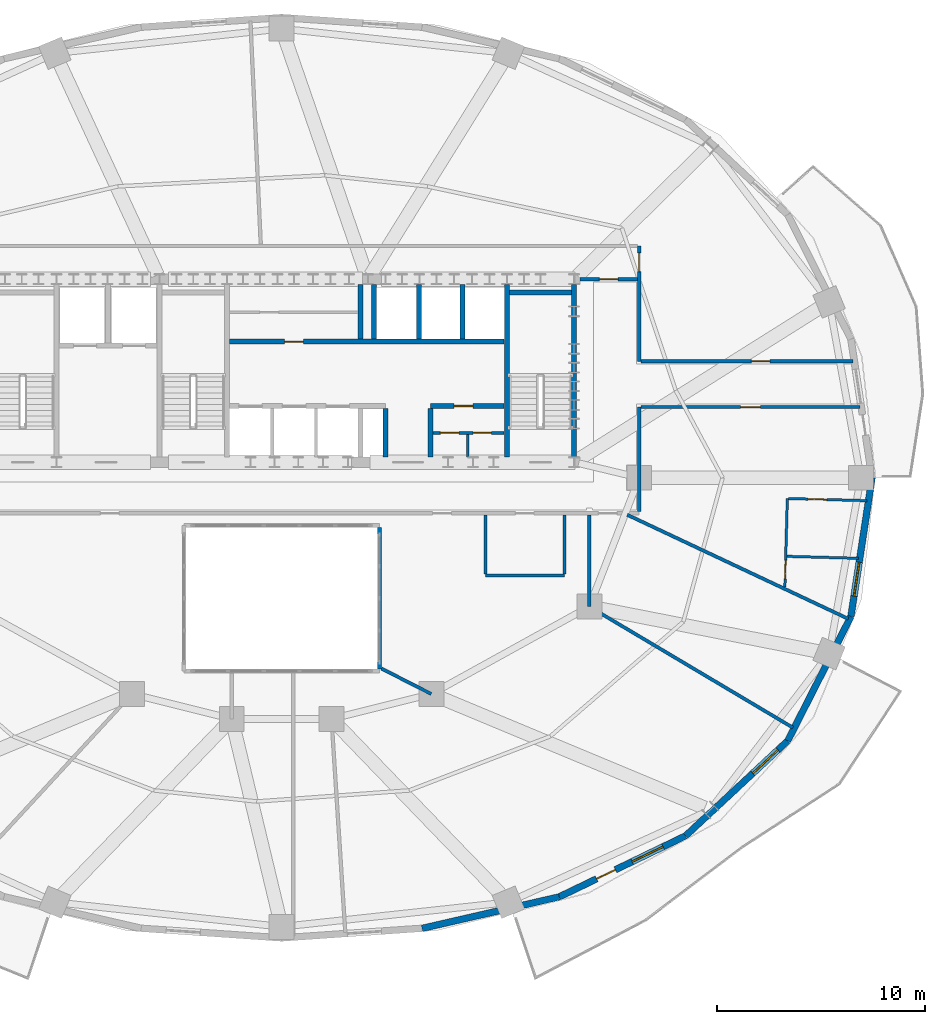
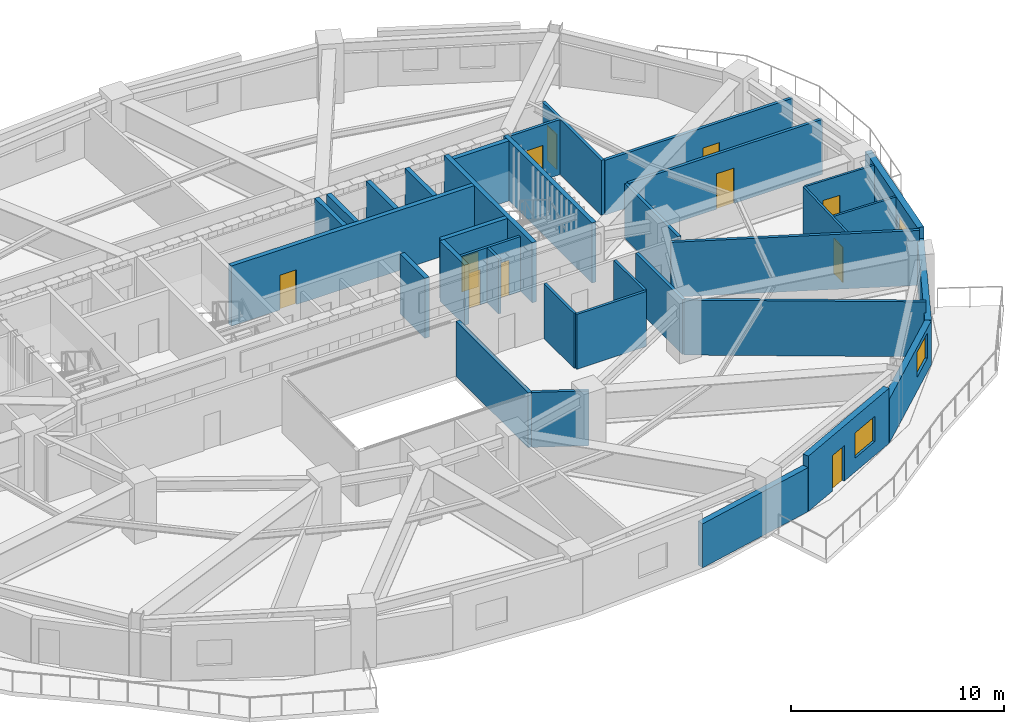
# One storey, part 8 of 13: 34 walls, 11 doors, 3 windows, 14 openings.
"""IFC4 building model written with IfcOpenShell, lengths in metres."""

from ifc_helpers import new_model, si_unit, direction, frame, frame_2d, origin, place, context, subcontext, project, spatial, rectangle, extrude, material, layer, layer_set, type_object, element, fill, save


model = new_model("IFC4")

# Units and contexts
model_context = context("Model", 3, precision=1e-05, world=origin(), true_north=direction((0.0, 1.0)))
body_context = subcontext(model_context, "Body", "Model", "MODEL_VIEW")
ifc_project = project(units=[si_unit("LENGTHUNIT", "METRE"), si_unit("AREAUNIT", "SQUARE_METRE"), si_unit("VOLUMEUNIT", "CUBIC_METRE"), si_unit("PLANEANGLEUNIT", "RADIAN"), si_unit("MASSUNIT", "GRAM", prefix="KILO")], contexts=[model_context])

# Site, building, storey
site_placement = place(None, origin())
site = spatial("IfcSite", under=ifc_project, at=site_placement, CompositionType="ELEMENT")
building_placement = place(site_placement, origin())
building = spatial("IfcBuilding", under=site, at=building_placement, Name="Haldorwick Loom Tower", CompositionType="ELEMENT")
storey_placement = place(building_placement, frame((0.0, 0.0, 127.699951171875)))
storey = spatial("IfcBuildingStorey", under=building, at=storey_placement, Name="L34", CompositionType="ELEMENT", Elevation=127.699951171875)

# Wall
ifc_material_1 = material(Name="Pressed Clay Face Brick and Insulated Masonry Backup Assembly", Category="masonry")
ifc_layer_1 = layer(ifc_material_1, 0.320068359375, Name="Pressed Clay Face Brick and Insulated Masonry Backup Assembly", Category="masonry")
ifc_layer_set_1 = layer_set([ifc_layer_1], Name="Pressed Clay Face Brick and Insulated Masonry Backup Assembly")
wall_type_1 = type_object("IfcWallType", Name="ARC-WL-EXT320", PredefinedType="STANDARD", material=ifc_layer_set_1)
wall_1_placement = place(storey_placement, frame((42.757080078125, 4.325439453125, 0.0), z_axis=(0.0, 0.0, 1.0), x_axis=(0.974584177714, 0.224021607329, 0.0)))
element("IfcWall", 1, at=wall_1_placement, inside=storey, type_object=wall_type_1, Name="L34 Brick Pier and Spandrel Wall 20", PredefinedType="STANDARD", context=body_context, shape_type="SweptSolid", body=[
    extrude(rectangle(XDim=6.767822265625, YDim=0.320068359375, at=frame_2d((3.3837890625, 0.0))), origin(), (0.0, 0.0, 1.0), 2.529052734375),
])

# Wall, openings, door, window
wall_2_placement = place(storey_placement, frame((49.352783203125, 5.841552734375, 0.0), z_axis=(0.0, 0.0, 1.0), x_axis=(0.900510094661, 0.434835106004, 0.0)))
wall_2 = element("IfcWall", 2, at=wall_2_placement, inside=storey, type_object=wall_type_1, Name="L34 Brick Pier and Spandrel Wall 21", PredefinedType="STANDARD", context=body_context, shape_type="SweptSolid", body=[
    extrude(rectangle(XDim=6.744873046875, YDim=0.320068359375, at=frame_2d((3.37255859375, 0.0))), origin(), (0.0, 0.0, 1.0), 3.170166015625),
])
opening_1_placement = place(wall_2_placement, frame((1.994873046875, 0.0, 0.0)))
opening_1 = element("IfcOpeningElement", 3, at=opening_1_placement, cuts=wall_2, Name="Opening D-BL10", PredefinedType="OPENING", context=body_context, shape_type="SweptSolid", body=[
    extrude(rectangle(XDim=1.0, YDim=2.0400390625, at=frame_2d((0.5, 1.02001953125))), frame((0.0, 0.169921875, 0.0), z_axis=(0.0, -1.0, 0.0), x_axis=(1.0, 0.0, 0.0)), (0.0, 0.0, 1.0), 0.340087890625),
])
opening_2_placement = place(wall_2_placement, frame((3.896484375, 0.0, 0.800048828125)))
opening_2 = element("IfcOpeningElement", 4, at=opening_2_placement, cuts=wall_2, Name="Opening W-01B", PredefinedType="OPENING", context=body_context, shape_type="SweptSolid", body=[
    extrude(rectangle(XDim=1.64990234375, YDim=1.449951171875, at=frame_2d((0.824951171875, 0.72509765625))), frame((0.0, 0.169921875, 0.0), z_axis=(0.0, -1.0, 0.0), x_axis=(1.0, 0.0, 0.0)), (0.0, 0.0, 1.0), 0.340087890625),
])
ifc_material_2 = material(Name="Thermally Broken Anodized Aluminium Curtain Wall Framing", Category="aluminium")
door_type_1 = type_object("IfcDoorType", Name="ARC-DR-BAL100", OperationType="NOTDEFINED", PredefinedType="DOOR", material=ifc_material_2)
door_1_placement = place(opening_1_placement, origin())
door_1 = element("IfcDoor", 5, at=door_1_placement, inside=storey, type_object=door_type_1, Name="L34 Outdoor Terrace Door SLB-L34-BAL_SE", OperationType="SINGLE_SWING_RIGHT", OverallHeight=2.0400390625, OverallWidth=1.0, PredefinedType="DOOR", context=body_context, shape_type="SweptSolid", body=[
    extrude(rectangle(XDim=1.0, YDim=2.0400390625, at=frame_2d((0.5, 1.02001953125))), frame((0.0, 0.02490234375, 0.0), z_axis=(0.0, -1.0, 0.0), x_axis=(1.0, 0.0, 0.0)), (0.0, 0.0, 1.0), 0.050048828125),
])
fill(opening_1, door_1)
ifc_material_3 = material(Name="Triple-Glazed Low-E Argon Insulated Glazing Unit", Category="glass")
window_type = type_object("IfcWindowType", Name="ARC-WIN-W165", PartitioningType="SINGLE_PANEL", PredefinedType="WINDOW", material=ifc_material_3)
window_1_placement = place(opening_2_placement, origin())
window_1 = element("IfcWindow", 6, at=window_1_placement, inside=storey, type_object=window_type, Name="L34 Deep-Set Zone 7A Window 21", OverallHeight=1.449951171875, OverallWidth=1.64990234375, PartitioningType="SINGLE_PANEL", PredefinedType="WINDOW", context=body_context, shape_type="SweptSolid", body=[
    extrude(rectangle(XDim=1.64990234375, YDim=1.449951171875, at=frame_2d((0.824951171875, 0.72509765625))), frame((0.0, 0.030029296875, 0.0), z_axis=(0.0, -1.0, 0.0), x_axis=(1.0, 0.0, 0.0)), (0.0, 0.0, 1.0), 0.06005859375),
])
fill(opening_2, window_1)

# Wall, opening, window
wall_3_placement = place(storey_placement, frame((55.426513671875, 8.7744140625, 0.0), z_axis=(0.0, 0.0, 1.0), x_axis=(0.732137360086, 0.681157020052, 0.0)))
wall_3 = element("IfcWall", 7, at=wall_3_placement, inside=storey, type_object=wall_type_1, Name="L34 Brick Pier and Spandrel Wall 22", PredefinedType="STANDARD", context=body_context, shape_type="SweptSolid", body=[
    extrude(rectangle(XDim=6.709228515625, YDim=0.320068359375, at=frame_2d((3.3544921875, 0.0))), origin(), (0.0, 0.0, 1.0), 2.529052734375),
])
opening_3_placement = place(wall_3_placement, frame((4.41943359375, 0.0, 0.800048828125)))
opening_3 = element("IfcOpeningElement", 8, at=opening_3_placement, cuts=wall_3, Name="Opening W-01B", PredefinedType="OPENING", context=body_context, shape_type="SweptSolid", body=[
    extrude(rectangle(XDim=1.64990234375, YDim=1.449951171875, at=frame_2d((0.824951171875, 0.72509765625))), frame((0.0, 0.169921875, 0.0), z_axis=(0.0, -1.0, 0.0), x_axis=(1.0, 0.0, 0.0)), (0.0, 0.0, 1.0), 0.340087890625),
])
window_2_placement = place(opening_3_placement, origin())
window_2 = element("IfcWindow", 9, at=window_2_placement, inside=storey, type_object=window_type, Name="L34 Deep-Set Zone 7A Window 22", OverallHeight=1.449951171875, OverallWidth=1.64990234375, PartitioningType="SINGLE_PANEL", PredefinedType="WINDOW", context=body_context, shape_type="SweptSolid", body=[
    extrude(rectangle(XDim=1.64990234375, YDim=1.449951171875, at=frame_2d((0.824951171875, 0.72509765625))), frame((0.0, 0.030029296875, 0.0), z_axis=(0.0, -1.0, 0.0), x_axis=(1.0, 0.0, 0.0)), (0.0, 0.0, 1.0), 0.06005859375),
])
fill(opening_3, window_2)

# Wall
wall_4_placement = place(storey_placement, frame((60.338623046875, 13.344482421875, 0.0), z_axis=(0.0, 0.0, 1.0), x_axis=(0.453374078001, 0.89132033826, 0.0)))
element("IfcWall", 10, at=wall_4_placement, inside=storey, type_object=wall_type_1, Name="L34 Brick Pier and Spandrel Wall 23", PredefinedType="STANDARD", context=body_context, shape_type="SweptSolid", body=[
    extrude(rectangle(XDim=6.709716796875, YDim=0.320068359375, at=frame_2d((3.35498046875, 0.0))), origin(), (0.0, 0.0, 1.0), 2.529052734375),
])

# Wall, opening, window
wall_5_placement = place(storey_placement, frame((63.380615234375, 19.324951171875, 0.0), z_axis=(0.0, 0.0, 1.0), x_axis=(0.150633288003, 0.988589708901, 0.0)))
wall_5 = element("IfcWall", 11, at=wall_5_placement, inside=storey, type_object=wall_type_1, Name="L34 Brick Pier and Spandrel Wall 24", PredefinedType="STANDARD", context=body_context, shape_type="SweptSolid", body=[
    extrude(rectangle(XDim=6.752197265625, YDim=0.320068359375, at=frame_2d((3.3759765625, 0.0))), origin(), (0.0, 0.0, 1.0), 3.170166015625),
])
opening_4_placement = place(wall_5_placement, frame((0.997314453125, 0.0, 0.800048828125)))
opening_4 = element("IfcOpeningElement", 12, at=opening_4_placement, cuts=wall_5, Name="Opening W-01B", PredefinedType="OPENING", context=body_context, shape_type="SweptSolid", body=[
    extrude(rectangle(XDim=1.64990234375, YDim=1.449951171875, at=frame_2d((0.824951171875, 0.72509765625))), frame((0.0, 0.169921875, 0.0), z_axis=(0.0, -1.0, 0.0), x_axis=(1.0, 0.0, 0.0)), (0.0, 0.0, 1.0), 0.340087890625),
])
window_3_placement = place(opening_4_placement, origin())
window_3 = element("IfcWindow", 13, at=window_3_placement, inside=storey, type_object=window_type, Name="L34 Deep-Set Zone 7A Window 24", OverallHeight=1.449951171875, OverallWidth=1.64990234375, PartitioningType="SINGLE_PANEL", PredefinedType="WINDOW", context=body_context, shape_type="SweptSolid", body=[
    extrude(rectangle(XDim=1.64990234375, YDim=1.449951171875, at=frame_2d((0.824951171875, 0.72509765625))), frame((0.0, 0.030029296875, 0.0), z_axis=(0.0, -1.0, 0.0), x_axis=(1.0, 0.0, 0.0)), (0.0, 0.0, 1.0), 0.06005859375),
])
fill(opening_4, window_3)

# Wall
ifc_material_4 = material(Name="Fire-Rated Type X Gypsum Stud Assembly EI 60")
ifc_layer_2 = layer(ifc_material_4, 0.159912109375, Name="Fire-Rated Type X Gypsum Stud Assembly EI 60")
ifc_layer_set_2 = layer_set([ifc_layer_2], Name="Fire-Rated Type X Gypsum Stud Assembly EI 60")
wall_type_2 = type_object("IfcWallType", Name="ARC-WL-FIRE160", PredefinedType="PARTITIONING", material=ifc_layer_set_2)
wall_6_placement = place(storey_placement, frame((53.199951171875, 24.383056640625, 0.0), z_axis=(0.0, 0.0, 1.0), x_axis=(0.0, 1.0, 0.0)))
element("IfcWall", 14, at=wall_6_placement, inside=storey, type_object=wall_type_2, Name="L34 Residential Fire Partition L34-CR-E0A", PredefinedType="PARTITIONING", context=body_context, shape_type="SweptSolid", body=[
    extrude(rectangle(XDim=5.016845703125, YDim=0.159912109375, at=frame_2d((2.50830078125, 0.0))), origin(), (0.0, 0.0, 1.0), 3.155029296875),
])

# Wall, opening, door
wall_7_placement = place(storey_placement, frame((53.199951171875, 31.60009765625, 0.0), z_axis=(0.0, 0.0, 1.0), x_axis=(0.0, 1.0, 0.0)))
wall_7 = element("IfcWall", 15, at=wall_7_placement, inside=storey, type_object=wall_type_2, Name="L34 Residential Fire Partition L34-CR-E0B", PredefinedType="PARTITIONING", context=body_context, shape_type="SweptSolid", body=[
    extrude(rectangle(XDim=5.5498046875, YDim=0.159912109375, at=frame_2d((2.77490234375, 0.0))), origin(), (0.0, 0.0, 1.0), 3.155029296875),
])
opening_5_placement = place(wall_7_placement, frame((4.31005859375, 0.0, 0.0)))
opening_5 = element("IfcOpeningElement", 16, at=opening_5_placement, cuts=wall_7, Name="Opening D-FD60A", PredefinedType="OPENING", context=body_context, shape_type="SweptSolid", body=[
    extrude(rectangle(XDim=0.89990234375, YDim=2.0, at=frame_2d((0.449951171875, 1.0))), frame((0.0, 0.08984375, 0.0), z_axis=(0.0, -1.0, 0.0), x_axis=(1.0, 0.0, 0.0)), (0.0, 0.0, 1.0), 0.179931640625),
])
ifc_material_5 = material(Name="Hollow Steel Fire Door Assembly", Category="steel")
door_type_2 = type_object("IfcDoorType", Name="ARC-DR-FD60-90", OperationType="NOTDEFINED", PredefinedType="DOOR", material=ifc_material_5)
door_2_placement = place(opening_5_placement, origin())
door_2 = element("IfcDoor", 17, at=door_2_placement, inside=storey, type_object=door_type_2, Name="L34 L34 North Residential Corridor to Community Library Hall 6 Door", OperationType="SINGLE_SWING_LEFT", OverallHeight=2.0, OverallWidth=0.89990234375, PredefinedType="DOOR", context=body_context, shape_type="SweptSolid", body=[
    extrude(rectangle(XDim=0.89990234375, YDim=2.0, at=frame_2d((0.449951171875, 1.0))), frame((0.0, 0.02490234375, 0.0), z_axis=(0.0, -1.0, 0.0), x_axis=(1.0, 0.0, 0.0)), (0.0, 0.0, 1.0), 0.050048828125),
])
fill(opening_5, door_2)

wall_8_placement = place(storey_placement, frame((53.282958984375, 29.39990234375, 0.0), z_axis=(0.0, 0.0, 1.0), x_axis=(1.0, 0.0, 0.0)))
wall_8 = element("IfcWall", 18, at=wall_8_placement, inside=storey, type_object=wall_type_2, Name="L34 Residential Fire Partition L34-CR-GE0", PredefinedType="PARTITIONING", context=body_context, shape_type="SweptSolid", body=[
    extrude(rectangle(XDim=10.53076171875, YDim=0.159912109375, at=frame_2d((5.265380859375, 0.0))), origin(), (0.0, 0.0, 1.0), 3.155029296875),
])
opening_6_placement = place(wall_8_placement, frame((4.790283203125, 0.0, 0.0)))
opening_6 = element("IfcOpeningElement", 19, at=opening_6_placement, cuts=wall_8, Name="Opening D-FL95", PredefinedType="OPENING", context=body_context, shape_type="SweptSolid", body=[
    extrude(rectangle(XDim=0.949951171875, YDim=2.0400390625, at=frame_2d((0.47509765625, 1.02001953125))), frame((0.0, 0.08984375, 0.0), z_axis=(0.0, -1.0, 0.0), x_axis=(1.0, 0.0, 0.0)), (0.0, 0.0, 1.0), 0.179931640625),
])
ifc_material_6 = material(Name="Solid Core Birch Architectural Door")
door_type_3 = type_object("IfcDoorType", Name="ARC-DR-FLAT95", OperationType="NOTDEFINED", PredefinedType="DOOR", material=ifc_material_6)
door_3_placement = place(opening_6_placement, origin())
door_3 = element("IfcDoor", 20, at=door_3_placement, inside=storey, type_object=door_type_3, Name="L34 L34 Central Residential Corridor to Unit 34A Kitchen and Living Room", OperationType="SINGLE_SWING_RIGHT", OverallHeight=2.0400390625, OverallWidth=0.949951171875, PredefinedType="DOOR", context=body_context, shape_type="SweptSolid", body=[
    extrude(rectangle(XDim=0.949951171875, YDim=2.0400390625, at=frame_2d((0.47509765625, 1.02001953125))), frame((0.0, 0.02490234375, 0.0), z_axis=(0.0, -1.0, 0.0), x_axis=(1.0, 0.0, 0.0)), (0.0, 0.0, 1.0), 0.050048828125),
])
fill(opening_6, door_3)

wall_9_placement = place(storey_placement, frame((53.282958984375, 31.60009765625, 0.0), z_axis=(0.0, 0.0, 1.0), x_axis=(1.0, 0.0, 0.0)))
wall_9 = element("IfcWall", 21, at=wall_9_placement, inside=storey, type_object=wall_type_2, Name="L34 Residential Fire Partition L34-CR-GE1", PredefinedType="PARTITIONING", context=body_context, shape_type="SweptSolid", body=[
    extrude(rectangle(XDim=10.195556640625, YDim=0.159912109375, at=frame_2d((5.09765625, 0.0))), origin(), (0.0, 0.0, 1.0), 3.155029296875),
])
opening_7_placement = place(wall_9_placement, frame((5.305908203125, 0.0, 0.0)))
opening_7 = element("IfcOpeningElement", 22, at=opening_7_placement, cuts=wall_9, Name="Opening D-FD60A", PredefinedType="OPENING", context=body_context, shape_type="SweptSolid", body=[
    extrude(rectangle(XDim=0.89990234375, YDim=2.0, at=frame_2d((0.449951171875, 1.0))), frame((0.0, 0.08984375, 0.0), z_axis=(0.0, -1.0, 0.0), x_axis=(1.0, 0.0, 0.0)), (0.0, 0.0, 1.0), 0.179931640625),
])
door_4_placement = place(opening_7_placement, frame((0.89990234375, 0.0, 0.0), z_axis=(0.0, 0.0, 1.0), x_axis=(-1.0, 0.0, 0.0)))
door_4 = element("IfcDoor", 23, at=door_4_placement, inside=storey, type_object=door_type_2, Name="L34 Community Library Hall 6 to L34 Central Residential Corridor Door", OperationType="SINGLE_SWING_LEFT", OverallHeight=2.0, OverallWidth=0.89990234375, PredefinedType="DOOR", context=body_context, shape_type="SweptSolid", body=[
    extrude(rectangle(XDim=0.89990234375, YDim=2.0, at=frame_2d((0.449951171875, 1.0))), frame((0.0, 0.02490234375, 0.0), z_axis=(0.0, -1.0, 0.0), x_axis=(1.0, 0.0, 0.0)), (0.0, 0.0, 1.0), 0.050048828125),
])
fill(opening_7, door_4)

wall_10_placement = place(storey_placement, frame((50.35009765625, 35.550048828125, 0.0), z_axis=(0.0, 0.0, 1.0), x_axis=(1.0, 0.0, 0.0)))
wall_10 = element("IfcWall", 24, at=wall_10_placement, inside=storey, type_object=wall_type_2, Name="L34 Residential Fire Partition L34-CR-ENC", PredefinedType="PARTITIONING", context=body_context, shape_type="SweptSolid", body=[
    extrude(rectangle(XDim=2.766845703125, YDim=0.159912109375, at=frame_2d((1.38330078125, 0.0))), origin(), (0.0, 0.0, 1.0), 3.155029296875),
])
opening_8_placement = place(wall_10_placement, frame((0.93359375, 0.0, 0.0)))
opening_8 = element("IfcOpeningElement", 25, at=opening_8_placement, cuts=wall_10, Name="Opening D-FD60A", PredefinedType="OPENING", context=body_context, shape_type="SweptSolid", body=[
    extrude(rectangle(XDim=0.89990234375, YDim=2.0, at=frame_2d((0.449951171875, 1.0))), frame((0.0, 0.08984375, 0.0), z_axis=(0.0, -1.0, 0.0), x_axis=(1.0, 0.0, 0.0)), (0.0, 0.0, 1.0), 0.179931640625),
])
door_5_placement = place(opening_8_placement, origin())
door_5 = element("IfcDoor", 26, at=door_5_placement, inside=storey, type_object=door_type_2, Name="L34 L34 North Residential Corridor to L34 Central Residential Corridor D", OperationType="SINGLE_SWING_LEFT", OverallHeight=2.0, OverallWidth=0.89990234375, PredefinedType="DOOR", context=body_context, shape_type="SweptSolid", body=[
    extrude(rectangle(XDim=0.89990234375, YDim=2.0, at=frame_2d((0.449951171875, 1.0))), frame((0.0, 0.02490234375, 0.0), z_axis=(0.0, -1.0, 0.0), x_axis=(1.0, 0.0, 0.0)), (0.0, 0.0, 1.0), 0.050048828125),
])
fill(opening_8, door_5)

# Walls
wall_11_placement = place(storey_placement, frame((50.800048828125, 19.800048828125, 0.0), z_axis=(0.0, 0.0, 1.0), x_axis=(0.85958729712, -0.510988922218, 0.0)))
element("IfcWall", 27, at=wall_11_placement, inside=storey, type_object=wall_type_2, Name="L34 Residential Fire Partition L34-ICR-02", PredefinedType="PARTITIONING", context=body_context, shape_type="SweptSolid", body=[
    extrude(rectangle(XDim=11.388427734375, YDim=0.159912109375, at=frame_2d((5.6943359375, 0.0))), origin(), (0.0, 0.0, 1.0), 3.155029296875),
])
wall_12_placement = place(storey_placement, frame((50.800048828125, 24.217041015625, 0.0), z_axis=(0.0, 0.0, 1.0), x_axis=(0.0, -1.0, 0.0)))
element("IfcWall", 28, at=wall_12_placement, inside=storey, type_object=wall_type_2, Name="L34 Residential Fire Partition L34-ICA-01", PredefinedType="PARTITIONING", context=body_context, shape_type="SweptSolid", body=[
    extrude(rectangle(XDim=4.4169921875, YDim=0.159912109375, at=frame_2d((2.20849609375, 0.0))), origin(), (0.0, 0.0, 1.0), 3.155029296875),
])
wall_13_placement = place(storey_placement, frame((40.802978515625, 16.822021484375, 0.0), z_axis=(0.0, 0.0, 1.0), x_axis=(0.890915506237, -0.454169088278, 0.0)))
element("IfcWall", 29, at=wall_13_placement, inside=storey, type_object=wall_type_2, Name="L34 Residential Fire Partition L34-ICA-03", PredefinedType="PARTITIONING", context=body_context, shape_type="SweptSolid", body=[
    extrude(rectangle(XDim=2.6904296875, YDim=0.159912109375, at=frame_2d((1.34521484375, 0.0))), origin(), (0.0, 0.0, 1.0), 3.155029296875),
])
wall_14_placement = place(storey_placement, frame((63.251708984375, 19.215087890625, 0.0), z_axis=(0.0, 0.0, 1.0), x_axis=(-0.904814934117, 0.425805043417, 0.0)))
element("IfcWall", 30, at=wall_14_placement, inside=storey, type_object=wall_type_2, Name="L34 Suite Split Wall", PredefinedType="PARTITIONING", context=body_context, shape_type="SweptSolid", body=[
    extrude(rectangle(XDim=11.7470703125, YDim=0.159912109375, at=frame_2d((5.87353515625, 0.0))), origin(), (0.0, 0.0, 1.0), 3.155029296875),
])
ifc_material_7 = material(Name="Fire-Rated Type X Gypsum Stud Assembly EI 120")
ifc_layer_3 = layer(ifc_material_7, 0.199951171875, Name="Fire-Rated Type X Gypsum Stud Assembly EI 120")
ifc_layer_set_3 = layer_set([ifc_layer_3], Name="Fire-Rated Type X Gypsum Stud Assembly EI 120")
wall_type_3 = type_object("IfcWallType", Name="ARC-WL-FIRE200", PredefinedType="PARTITIONING", material=ifc_layer_set_3)
wall_15_placement = place(storey_placement, frame((40.699951171875, 23.596923828125, 0.0), z_axis=(0.0, 0.0, 1.0), x_axis=(0.0, -1.0, 0.0)))
element("IfcWall", 31, at=wall_15_placement, inside=storey, type_object=wall_type_3, Name="L34 Atrium Fire Enclosure Wall E", PredefinedType="PARTITIONING", context=body_context, shape_type="SweptSolid", body=[
    extrude(rectangle(XDim=6.7939453125, YDim=0.199951171875, at=frame_2d((3.39697265625, 0.0))), origin(), (0.0, 0.0, 1.0), 3.155029296875),
])

# Wall, opening, door
ifc_material_8 = material(Name="Acoustic Gypsum Stud Assembly STC 55")
ifc_layer_4 = layer(ifc_material_8, 0.1201171875, Name="Acoustic Gypsum Stud Assembly STC 55")
ifc_layer_set_4 = layer_set([ifc_layer_4], Name="Acoustic Gypsum Stud Assembly STC 55")
wall_type_4 = type_object("IfcWallType", Name="ARC-WL-PART120", PredefinedType="PARTITIONING", material=ifc_layer_set_4)
wall_16_placement = place(storey_placement, frame((60.20458984375, 20.74072265625, 0.0), z_axis=(0.0, 0.0, 1.0), x_axis=(0.027549271467, 0.999620446791, 0.0)))
wall_16 = element("IfcWall", 32, at=wall_16_placement, inside=storey, type_object=wall_type_4, Name="L34 Unit 34A Interior Partition", PredefinedType="PARTITIONING", context=body_context, shape_type="SweptSolid", body=[
    extrude(rectangle(XDim=4.2626953125, YDim=0.1201171875, at=frame_2d((2.13134765625, 0.0))), origin(), (0.0, 0.0, 1.0), 3.155029296875),
])
opening_9_placement = place(wall_16_placement, frame((0.401123046875, 0.0, 0.0)))
opening_9 = element("IfcOpeningElement", 33, at=opening_9_placement, cuts=wall_16, Name="Opening D-BT88", PredefinedType="OPENING", context=body_context, shape_type="SweptSolid", body=[
    extrude(rectangle(XDim=0.8798828125, YDim=2.02001953125, at=frame_2d((0.43994140625, 1.010009765625))), frame((0.0, 0.070068359375, 0.0), z_axis=(0.0, -1.0, 0.0), x_axis=(1.0, 0.0, 0.0)), (0.0, 0.0, 1.0), 0.14013671875),
])
door_type_4 = type_object("IfcDoorType", Name="ARC-DR-BATH88", OperationType="NOTDEFINED", PredefinedType="DOOR", material=ifc_material_6)
door_6_placement = place(opening_9_placement, origin())
door_6 = element("IfcDoor", 34, at=door_6_placement, inside=storey, type_object=door_type_4, Name="L34 Unit 34A Kitchen and Living Room to Unit 34A Bathroom Door", OperationType="SINGLE_SWING_RIGHT", OverallHeight=2.02001953125, OverallWidth=0.8798828125, PredefinedType="DOOR", context=body_context, shape_type="SweptSolid", body=[
    extrude(rectangle(XDim=0.8798828125, YDim=2.02001953125, at=frame_2d((0.43994140625, 1.010009765625))), frame((0.0, 0.02490234375, 0.0), z_axis=(0.0, -1.0, 0.0), x_axis=(1.0, 0.0, 0.0)), (0.0, 0.0, 1.0), 0.050048828125),
])
fill(opening_9, door_6)

wall_17_placement = place(storey_placement, frame((60.385009765625, 25.0, 0.0), z_axis=(0.0, 0.0, 1.0), x_axis=(0.999621410161, -0.027514293515, 0.0)))
wall_17 = element("IfcWall", 35, at=wall_17_placement, inside=storey, type_object=wall_type_4, Name="L34 Unit 34A Interior Partition", PredefinedType="PARTITIONING", context=body_context, shape_type="SweptSolid", body=[
    extrude(rectangle(XDim=3.780029296875, YDim=0.1201171875, at=frame_2d((1.89013671875, 0.0))), origin(), (0.0, 0.0, 1.0), 3.155029296875),
])
opening_10_placement = place(wall_17_placement, frame((0.9345703125, 0.0, 0.0)))
opening_10 = element("IfcOpeningElement", 36, at=opening_10_placement, cuts=wall_17, Name="Opening D-IN90", PredefinedType="OPENING", context=body_context, shape_type="SweptSolid", body=[
    extrude(rectangle(XDim=0.89990234375, YDim=2.0400390625, at=frame_2d((0.449951171875, 1.02001953125))), frame((0.0, 0.070068359375, 0.0), z_axis=(0.0, -1.0, 0.0), x_axis=(1.0, 0.0, 0.0)), (0.0, 0.0, 1.0), 0.14013671875),
])
door_type_5 = type_object("IfcDoorType", Name="ARC-DR-INT90", OperationType="NOTDEFINED", PredefinedType="DOOR", material=ifc_material_6)
door_7_placement = place(opening_10_placement, origin())
door_7 = element("IfcDoor", 37, at=door_7_placement, inside=storey, type_object=door_type_5, Name="L34 Unit 34A Kitchen and Living Room to Unit 34A Bedroom 1 Door", OperationType="SINGLE_SWING_RIGHT", OverallHeight=2.0400390625, OverallWidth=0.89990234375, PredefinedType="DOOR", context=body_context, shape_type="SweptSolid", body=[
    extrude(rectangle(XDim=0.89990234375, YDim=2.0400390625, at=frame_2d((0.449951171875, 1.02001953125))), frame((0.0, 0.02490234375, 0.0), z_axis=(0.0, -1.0, 0.0), x_axis=(1.0, 0.0, 0.0)), (0.0, 0.0, 1.0), 0.050048828125),
])
fill(opening_10, door_7)

# Wall
wall_18_placement = place(storey_placement, frame((60.308349609375, 22.219482421875, 0.0), z_axis=(0.0, 0.0, 1.0), x_axis=(0.999621512858, -0.027510562187, 0.0)))
element("IfcWall", 38, at=wall_18_placement, inside=storey, type_object=wall_type_4, Name="L34 Unit 34A Interior Partition", PredefinedType="PARTITIONING", context=body_context, shape_type="SweptSolid", body=[
    extrude(rectangle(XDim=3.434326171875, YDim=0.1201171875, at=frame_2d((1.71728515625, 0.0))), origin(), (0.0, 0.0, 1.0), 3.155029296875),
])

# Wall, openings, doors
ifc_layer_5 = layer(ifc_material_4, 0.139892578125, Name="Fire-Rated Type X Gypsum Stud Assembly EI 60")
ifc_layer_set_5 = layer_set([ifc_layer_5], Name="Fire-Rated Type X Gypsum Stud Assembly EI 60")
wall_type_5 = type_object("IfcWallType", Name="ARC-WL-PART140", PredefinedType="PARTITIONING", material=ifc_layer_set_5)
wall_19_placement = place(storey_placement, frame((43.27294921875, 28.159912109375, 0.0), z_axis=(0.0, 0.0, 1.0), x_axis=(1.0, 0.0, 0.0)))
wall_19 = element("IfcWall", 39, at=wall_19_placement, inside=storey, type_object=wall_type_5, Name="L34 Telecom Partition", PredefinedType="PARTITIONING", context=body_context, shape_type="SweptSolid", body=[
    extrude(rectangle(XDim=3.43408203125, YDim=0.139892578125, at=frame_2d((1.717041015625, 0.0))), origin(), (0.0, 0.0, 1.0), 3.155029296875),
])
opening_11_placement = place(wall_19_placement, frame((0.366943359375, 0.0, 0.0)))
opening_11 = element("IfcOpeningElement", 40, at=opening_11_placement, cuts=wall_19, Name="Opening D-BT88", PredefinedType="OPENING", context=body_context, shape_type="SweptSolid", body=[
    extrude(rectangle(XDim=0.8798828125, YDim=2.02001953125, at=frame_2d((0.43994140625, 1.010009765625))), frame((0.0, 0.079833984375, 0.0), z_axis=(0.0, -1.0, 0.0), x_axis=(1.0, 0.0, 0.0)), (0.0, 0.0, 1.0), 0.159912109375),
])
opening_12_placement = place(wall_19_placement, frame((1.93701171875, 0.0, 0.0)))
opening_12 = element("IfcOpeningElement", 41, at=opening_12_placement, cuts=wall_19, Name="Opening D-BT88", PredefinedType="OPENING", context=body_context, shape_type="SweptSolid", body=[
    extrude(rectangle(XDim=0.8798828125, YDim=2.02001953125, at=frame_2d((0.43994140625, 1.010009765625))), frame((0.0, 0.079833984375, 0.0), z_axis=(0.0, -1.0, 0.0), x_axis=(1.0, 0.0, 0.0)), (0.0, 0.0, 1.0), 0.159912109375),
])
door_8_placement = place(opening_11_placement, origin())
door_8 = element("IfcDoor", 42, at=door_8_placement, inside=storey, type_object=door_type_4, Name="L34 Telecom Room Door", OperationType="SINGLE_SWING_LEFT", OverallHeight=2.02001953125, OverallWidth=0.8798828125, PredefinedType="DOOR", context=body_context, shape_type="SweptSolid", body=[
    extrude(rectangle(XDim=0.8798828125, YDim=2.02001953125, at=frame_2d((0.43994140625, 1.010009765625))), frame((0.0, 0.02490234375, 0.0), z_axis=(0.0, -1.0, 0.0), x_axis=(1.0, 0.0, 0.0)), (0.0, 0.0, 1.0), 0.050048828125),
])
fill(opening_11, door_8)
door_9_placement = place(opening_12_placement, origin())
door_9 = element("IfcDoor", 43, at=door_9_placement, inside=storey, type_object=door_type_4, Name="L34 Metering Closet Door", OperationType="SINGLE_SWING_RIGHT", OverallHeight=2.02001953125, OverallWidth=0.8798828125, PredefinedType="DOOR", context=body_context, shape_type="SweptSolid", body=[
    extrude(rectangle(XDim=0.8798828125, YDim=2.02001953125, at=frame_2d((0.43994140625, 1.010009765625))), frame((0.0, 0.02490234375, 0.0), z_axis=(0.0, -1.0, 0.0), x_axis=(1.0, 0.0, 0.0)), (0.0, 0.0, 1.0), 0.050048828125),
])
fill(opening_12, door_9)

# Walls
wall_20_placement = place(storey_placement, frame((44.949951171875, 27.0029296875, 0.0), z_axis=(0.0, 0.0, 1.0), x_axis=(0.0, 1.0, 0.0)))
element("IfcWall", 44, at=wall_20_placement, inside=storey, type_object=wall_type_5, Name="L34 Metering Sub-Partition", PredefinedType="PARTITIONING", context=body_context, shape_type="SweptSolid", body=[
    extrude(rectangle(XDim=1.083984375, YDim=0.139892578125, at=frame_2d((0.5419921875, 0.0))), origin(), (0.0, 0.0, 1.0), 3.155029296875),
])
wall_21_placement = place(storey_placement, frame((45.800048828125, 21.300048828125, 0.0), z_axis=(0.0, 0.0, 1.0), x_axis=(1.0, 0.0, 0.0)))
element("IfcWall", 45, at=wall_21_placement, inside=storey, type_object=wall_type_5, Name="L34 Residential Fire Partition L34-CWC-S", PredefinedType="PARTITIONING", context=body_context, shape_type="SweptSolid", body=[
    extrude(rectangle(XDim=3.800048828125, YDim=0.139892578125, at=frame_2d((1.89990234375, 0.0))), origin(), (0.0, 0.0, 1.0), 3.155029296875),
])
for number, where, z_axis, x_axis, name in (
    (46, (45.800048828125, 21.373046875, 0.0), (0.0, 0.0, 1.0), (0.0, 1.0, 0.0), "L34 Residential Fire Partition L34-CWC-W"),
    (47, (49.60009765625, 21.373046875, 0.0), (0.0, 0.0, 1.0), (0.0, 1.0, 0.0), "L34 Residential Fire Partition L34-CWC-E"),
):
    element("IfcWall", number, at=place(storey_placement, frame(where, z_axis=z_axis, x_axis=x_axis)), inside=storey, type_object=wall_type_5, Name=name, PredefinedType="PARTITIONING", context=body_context, shape_type="SweptSolid", body=[
        extrude(rectangle(XDim=2.843994140625, YDim=0.139892578125, at=frame_2d((1.421875, 0.0))), origin(), (0.0, 0.0, 1.0), 3.155029296875),
    ])
ifc_material_9 = material(Name="Concrete C50 (50 MPa)", Category="concrete")
ifc_layer_6 = layer(ifc_material_9, 0.239990234375, Name="Concrete C50 (50 MPa)", Category="concrete")
ifc_layer_set_6 = layer_set([ifc_layer_6], Name="Concrete C50 (50 MPa)")
wall_type_6 = type_object("IfcWallType", Name="STR-WL-SHAFT240", PredefinedType="SHEAR", material=ifc_layer_set_6)
for number, where, z_axis, x_axis, name in (
    (48, (50.070068359375, 27.0029296875, 0.0), (0.0, 0.0, 1.0), (0.0, 1.0, 0.0), "L34 Core Shear Wall E"),
    (49, (46.830078125, 27.0029296875, 0.0), (0.0, 0.0, 1.0), (0.0, 1.0, 0.0), "L34 Core Shear Wall 4"),
):
    element("IfcWall", number, at=place(storey_placement, frame(where, z_axis=z_axis, x_axis=x_axis)), inside=storey, type_object=wall_type_6, Name=name, PredefinedType="SHEAR", context=body_context, shape_type="SweptSolid", body=[
        extrude(rectangle(XDim=8.294189453125, YDim=0.239990234375, at=frame_2d((4.14697265625, 0.0))), origin(), (0.0, 0.0, 1.0), 3.449951171875),
    ])
wall_22_placement = place(storey_placement, frame((46.952880859375, 34.919921875, 0.0), z_axis=(0.0, 0.0, 1.0), x_axis=(1.0, 0.0, 0.0)))
element("IfcWall", 50, at=wall_22_placement, inside=storey, type_object=wall_type_6, Name="L34 Core Shear Wall 4N", PredefinedType="SHEAR", context=body_context, shape_type="SweptSolid", body=[
    extrude(rectangle(XDim=2.994140625, YDim=0.239990234375, at=frame_2d((1.4970703125, 0.0))), origin(), (0.0, 0.0, 1.0), 3.449951171875),
])

# Wall, opening, door
wall_23_placement = place(storey_placement, frame((33.492919921875, 32.550048828125, 0.0), z_axis=(0.0, 0.0, 1.0), x_axis=(1.0, 0.0, 0.0)))
wall_23 = element("IfcWall", 51, at=wall_23_placement, inside=storey, type_object=wall_type_6, Name="L34 Core Shear Wall LN", PredefinedType="SHEAR", context=body_context, shape_type="SweptSolid", body=[
    extrude(rectangle(XDim=13.214111328125, YDim=0.239990234375, at=frame_2d((6.60693359375, 0.0))), origin(), (0.0, 0.0, 1.0), 3.449951171875),
])
opening_13_placement = place(wall_23_placement, frame((2.656982421875, 0.0, 0.0)))
opening_13 = element("IfcOpeningElement", 52, at=opening_13_placement, cuts=wall_23, Name="Opening D-FD60A", PredefinedType="OPENING", context=body_context, shape_type="SweptSolid", body=[
    extrude(rectangle(XDim=0.89990234375, YDim=2.0, at=frame_2d((0.449951171875, 1.0))), frame((0.0, 0.1298828125, 0.0), z_axis=(0.0, -1.0, 0.0), x_axis=(1.0, 0.0, 0.0)), (0.0, 0.0, 1.0), 0.260009765625),
])
door_10_placement = place(opening_13_placement, frame((0.89990234375, 0.0, 0.0), z_axis=(0.0, 0.0, 1.0), x_axis=(-1.0, 0.0, 0.0)))
door_10 = element("IfcDoor", 53, at=door_10_placement, inside=storey, type_object=door_type_2, Name="L34 Floor Equipment Door", OperationType="SINGLE_SWING_RIGHT", OverallHeight=2.0, OverallWidth=0.89990234375, PredefinedType="DOOR", context=body_context, shape_type="SweptSolid", body=[
    extrude(rectangle(XDim=0.89990234375, YDim=2.0, at=frame_2d((0.449951171875, 1.0))), frame((0.0, 0.02490234375, 0.0), z_axis=(0.0, -1.0, 0.0), x_axis=(1.0, 0.0, 0.0)), (0.0, 0.0, 1.0), 0.050048828125),
])
fill(opening_13, door_10)

wall_24_placement = place(storey_placement, frame((43.14990234375, 29.449951171875, 0.0), z_axis=(0.0, 0.0, 1.0), x_axis=(1.0, 0.0, 0.0)))
wall_24 = element("IfcWall", 54, at=wall_24_placement, inside=storey, type_object=wall_type_6, Name="L34 Core Shear Wall LS2", PredefinedType="SHEAR", context=body_context, shape_type="SweptSolid", body=[
    extrude(rectangle(XDim=3.55712890625, YDim=0.239990234375, at=frame_2d((1.778564453125, 0.0))), origin(), (0.0, 0.0, 1.0), 3.449951171875),
])
opening_14_placement = place(wall_24_placement, frame((1.14990234375, 0.0, 0.0)))
opening_14 = element("IfcOpeningElement", 55, at=opening_14_placement, cuts=wall_24, Name="Opening D-FD60A", PredefinedType="OPENING", context=body_context, shape_type="SweptSolid", body=[
    extrude(rectangle(XDim=0.89990234375, YDim=2.0, at=frame_2d((0.449951171875, 1.0))), frame((0.0, 0.1298828125, 0.0), z_axis=(0.0, -1.0, 0.0), x_axis=(1.0, 0.0, 0.0)), (0.0, 0.0, 1.0), 0.260009765625),
])
door_11_placement = place(opening_14_placement, origin())
door_11 = element("IfcDoor", 56, at=door_11_placement, inside=storey, type_object=door_type_2, Name="L34 Janitor Closet Door", OperationType="SINGLE_SWING_LEFT", OverallHeight=2.0, OverallWidth=0.89990234375, PredefinedType="DOOR", context=body_context, shape_type="SweptSolid", body=[
    extrude(rectangle(XDim=0.89990234375, YDim=2.0, at=frame_2d((0.449951171875, 1.0))), frame((0.0, 0.02490234375, 0.0), z_axis=(0.0, -1.0, 0.0), x_axis=(1.0, 0.0, 0.0)), (0.0, 0.0, 1.0), 0.050048828125),
])
fill(opening_14, door_11)

# Walls
for number, where, z_axis, x_axis, name in (
    (57, (41.0, 27.0029296875, 0.0), (0.0, 0.0, 1.0), (0.0, 1.0, 0.0), "L34 Core Shear Wall THW"),
    (58, (43.14990234375, 27.0029296875, 0.0), (0.0, 0.0, 1.0), (0.0, 1.0, 0.0), "L34 Core Shear Wall THE"),
):
    element("IfcWall", number, at=place(storey_placement, frame(where, z_axis=z_axis, x_axis=x_axis)), inside=storey, type_object=wall_type_6, Name=name, PredefinedType="SHEAR", context=body_context, shape_type="SweptSolid", body=[
        extrude(rectangle(XDim=2.323974609375, YDim=0.239990234375, at=frame_2d((1.162109375, 0.0))), origin(), (0.0, 0.0, 1.0), 3.449951171875),
    ])
for number, where, z_axis, x_axis, name in (
    (59, (39.800048828125, 32.673095703125, 0.0), (0.0, 0.0, 1.0), (0.0, 1.0, 0.0), "L34 Core Shear Wall LHW"),
    (60, (40.449951171875, 32.673095703125, 0.0), (0.0, 0.0, 1.0), (0.0, 1.0, 0.0), "L34 Core Shear Wall H0"),
    (61, (42.60009765625, 32.673095703125, 0.0), (0.0, 0.0, 1.0), (0.0, 1.0, 0.0), "L34 Core Shear Wall H1"),
    (62, (44.699951171875, 32.673095703125, 0.0), (0.0, 0.0, 1.0), (0.0, 1.0, 0.0), "L34 Core Shear Wall H2"),
):
    element("IfcWall", number, at=place(storey_placement, frame(where, z_axis=z_axis, x_axis=x_axis)), inside=storey, type_object=wall_type_6, Name=name, PredefinedType="SHEAR", context=body_context, shape_type="SweptSolid", body=[
        extrude(rectangle(XDim=2.6240234375, YDim=0.239990234375, at=frame_2d((1.31201171875, 0.0))), origin(), (0.0, 0.0, 1.0), 3.449951171875),
    ])

save(model, "model.ifc")
